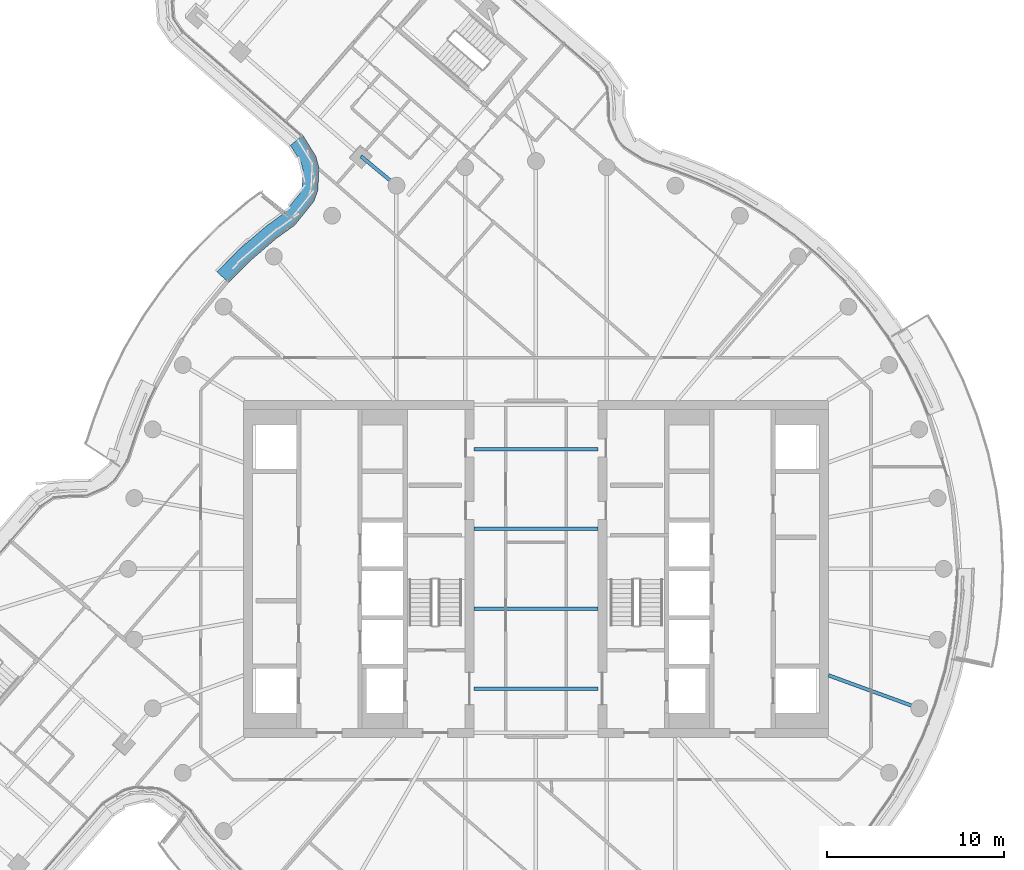
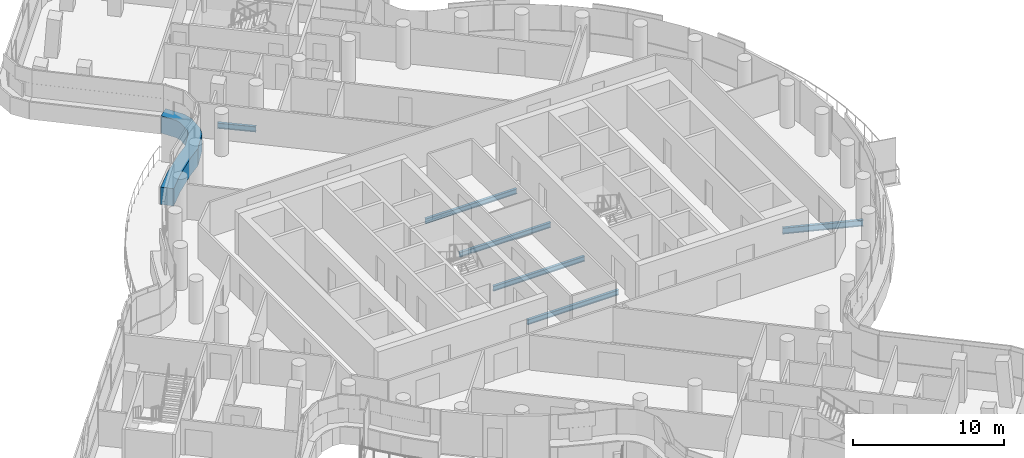
# One storey, part 11 of 32: 6 beams, 1 member, 1 element without a shape of its own.
"""IFC4 building model written with IfcOpenShell, lengths in metres."""

from ifc_helpers import new_model, si_unit, direction, frame, origin, origin_2d, place, context, subcontext, project, spatial, polyline, i_section, outline, extrude, material, layer, layer_set, material_profile, profile_set, type_object, element, aggregate, save


model = new_model("IFC4")

# Units and contexts
model_context = context("Model", 3, precision=1e-05, world=origin(), true_north=direction((0.0, 1.0)))
body_context = subcontext(model_context, "Body", "Model", "MODEL_VIEW")
ifc_project = project(units=[si_unit("LENGTHUNIT", "METRE"), si_unit("AREAUNIT", "SQUARE_METRE"), si_unit("VOLUMEUNIT", "CUBIC_METRE"), si_unit("PLANEANGLEUNIT", "RADIAN"), si_unit("MASSUNIT", "GRAM", prefix="KILO")], contexts=[model_context])

# Site, building, storey
site_placement = place(None, origin())
site = spatial("IfcSite", under=ifc_project, at=site_placement, CompositionType="ELEMENT")
building_placement = place(site_placement, origin())
building = spatial("IfcBuilding", under=site, at=building_placement, Name="Tamarind Cross Interchange Tower", CompositionType="ELEMENT")
storey_placement = place(building_placement, frame((0.0, 0.0, 211.300048828125)))
storey = spatial("IfcBuildingStorey", under=building, at=storey_placement, Name="L53", CompositionType="ELEMENT", Elevation=211.300048828125)

# Beams
ifc_material_1 = material(Name="Steel Q355B", Category="steel")
ifc_material_profile_1 = material_profile(ifc_material_1, i_section(OverallWidth=0.199951171875, OverallDepth=0.39990234375, WebThickness=0.008056640625, FlangeThickness=0.012939453125, FilletRadius=0.01611328125, at=origin_2d()), Name="HN 400x200x8x13")
ifc_profile_set_1 = profile_set([ifc_material_profile_1], Name="Steel Q355B")
beam_type_1 = type_object("IfcBeamType", Name="Composite beam HN 400x200x8x13 Q355B", PredefinedType="BEAM", material=ifc_profile_set_1)
for number, where, z_axis, x_axis, name in (
    (1, (-3.5, -2.25, -0.340087890625), (1.0, 0.0, 0.0), (0.0, 1.0, 0.0), "Beam G-2.25"),
    (2, (-3.5, -6.75, -0.340087890625), (1.0, 0.0, 0.0), (0.0, 1.0, 0.0), "Beam G-6.75"),
    (3, (-3.5, 2.25, -0.340087890625), (1.0, 0.0, 0.0), (0.0, 1.0, 0.0), "Beam G2.25"),
    (4, (-3.5, 6.75, -0.340087890625), (1.0, 0.0, 0.0), (0.0, 1.0, 0.0), "Beam G6.75"),
):
    element("IfcBeam", number, at=place(storey_placement, frame(where, z_axis=z_axis, x_axis=x_axis)), inside=storey, type_object=beam_type_1, Name=name, PredefinedType="BEAM", context=body_context, shape_type="SweptSolid", body=[
        extrude(i_section(OverallWidth=0.199951171875, OverallDepth=0.39990234375, WebThickness=0.008056640625, FlangeThickness=0.012939453125, FilletRadius=0.01611328125, at=origin_2d()), origin(), (0.0, 0.0, 1.0), 7.0),
    ])
ifc_material_profile_2 = material_profile(ifc_material_1, i_section(OverallWidth=0.198974609375, OverallDepth=0.446044921875, WebThickness=0.008056640625, FlangeThickness=0.011962890625, FilletRadius=0.012939453125, at=origin_2d()), Name="HN 446x199x8x12")
ifc_profile_set_2 = profile_set([ifc_material_profile_2], Name="Steel Q355B")
beam_type_2 = type_object("IfcBeamType", Name="Composite beam HN 446x199x8x12 Q355B", PredefinedType="BEAM", material=ifc_profile_set_2)
beam_1_placement = place(storey_placement, frame((-9.874755859375, 23.276123046875, -0.363037109375), z_axis=(0.770197642358, -0.637805292943, 0.0), x_axis=(0.637805292943, 0.770197642358, 0.0)))
element("IfcBeam", 5, at=beam_1_placement, inside=storey, type_object=beam_type_2, Name="Beam N-linkep", PredefinedType="BEAM", context=body_context, shape_type="SweptSolid", body=[
    extrude(i_section(OverallWidth=0.198974609375, OverallDepth=0.446044921875, WebThickness=0.008056640625, FlangeThickness=0.011962890625, FilletRadius=0.012939453125, at=origin_2d()), origin(), (0.0, 0.0, 1.0), 2.607421875),
])
ifc_material_profile_3 = material_profile(ifc_material_1, i_section(OverallWidth=0.198974609375, OverallDepth=0.49609375, WebThickness=0.009033203125, FlangeThickness=0.013916015625, FilletRadius=0.012939453125, at=origin_2d()), Name="HN 496x199x9x14")
ifc_profile_set_3 = profile_set([ifc_material_profile_3], Name="Steel Q355B")
beam_type_3 = type_object("IfcBeamType", Name="Composite beam HN 496x199x9x14 Q355B", PredefinedType="BEAM", material=ifc_profile_set_3)
beam_2_placement = place(storey_placement, frame((21.613037109375, -7.866455078125, -0.387939453125), z_axis=(-0.939701685589, 0.341995236956, 0.0), x_axis=(-0.341995236956, -0.939701685589, 0.0)))
element("IfcBeam", 6, at=beam_2_placement, inside=storey, type_object=beam_type_3, Name="Beam HH34", PredefinedType="BEAM", context=body_context, shape_type="SweptSolid", body=[
    extrude(i_section(OverallWidth=0.198974609375, OverallDepth=0.49609375, WebThickness=0.009033203125, FlangeThickness=0.013916015625, FilletRadius=0.012939453125, at=origin_2d()), origin(), (0.0, 0.0, 1.0), 5.441162109375),
])

# Curtain wall, member
ifc_material_2 = material(Name="Aluminium 6063-T6", Category="aluminium")
ifc_layer = layer(ifc_material_2, 0.139892578125)
ifc_layer_set = layer_set([ifc_layer], Name="Aluminium 6063-T6")
curtain_wall_type = type_object("IfcCurtainWallType", Name="Hotel curtain wall, 4.5 m bays", PredefinedType="NOTDEFINED", material=ifc_layer_set)
curtain_wall_placement = place(storey_placement, origin())
curtain_wall = element("IfcCurtainWall", 7, at=curtain_wall_placement, inside=storey, type_object=curtain_wall_type, Name="CWS-L53-10", PredefinedType="NOTDEFINED")
ifc_material_3 = material(Name="Aluminium and insulated spandrel panel", Category="aluminium")
member_type = type_object("IfcMemberType", Name="Floor-edge blade transom", PredefinedType="USERDEFINED", material=ifc_material_3)
member_placement = place(storey_placement, origin())
member = element("IfcMember", 8, at=member_placement, type_object=member_type, Name="CWT-L53-10-0", ObjectType="TRANSOM", PredefinedType="USERDEFINED", context=body_context, shape_type="SweptSolid", body=[
    extrude(outline(polyline([(-13.15478515625, 24.4697265625), (-12.407470703125, 23.2666015625), (-12.238525390625, 22.6171875), (-12.2978515625, 21.354248046875), (-12.528076171875, 20.719482421875), (-13.6005859375, 19.385498046875), (-14.63427734375, 18.63671875), (-16.12353515625, 17.3642578125), (-17.33447265625, 16.142822265625), (-17.993408203125, 16.75634765625), (-16.736572265625, 18.0244140625), (-15.19140625, 19.344482421875), (-14.226318359375, 20.04345703125), (-13.3232421875, 21.1669921875), (-13.1904296875, 21.532958984375), (-13.14404296875, 22.52294921875), (-13.244140625, 22.907958984375), (-13.848388671875, 23.880859375), (-13.15478515625, 24.4697265625)])), origin(), (0.0, 0.0, 1.0), 1.39990234375),
])
aggregate(curtain_wall, [member])

save(model, "model.ifc")
